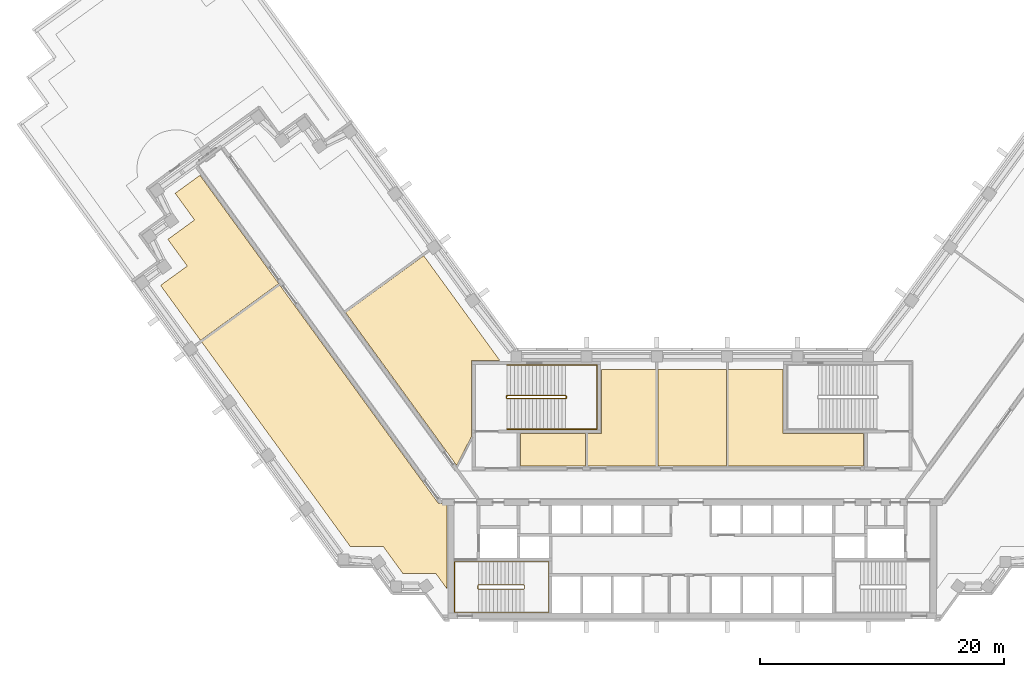
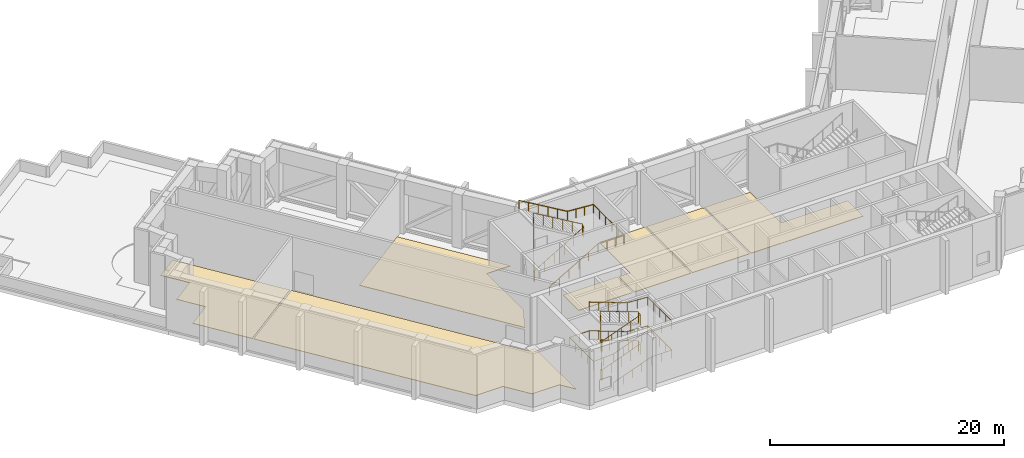
# One storey, part 14 of 16: 7 coverings, 4 railings.
"""IFC4 building model written with IfcOpenShell, lengths in metres."""

from ifc_helpers import new_model, si_unit, direction, frame, origin, origin_2d, place, context, subcontext, project, spatial, polyline, circle, outline, extrude, material, layer, layer_set, type_object, element, save


model = new_model("IFC4")

# Units and contexts
model_context = context("Model", 3, precision=1e-05, world=origin(), true_north=direction((0.0, 1.0)))
body_context = subcontext(model_context, "Body", "Model", "MODEL_VIEW")
ifc_project = project(units=[si_unit("LENGTHUNIT", "METRE"), si_unit("AREAUNIT", "SQUARE_METRE"), si_unit("VOLUMEUNIT", "CUBIC_METRE"), si_unit("PLANEANGLEUNIT", "RADIAN"), si_unit("MASSUNIT", "GRAM", prefix="KILO")], contexts=[model_context])

# Site, building, storey
site_placement = place(None, origin())
site = spatial("IfcSite", under=ifc_project, at=site_placement, CompositionType="ELEMENT")
building_placement = place(site_placement, origin())
building = spatial("IfcBuilding", under=site, at=building_placement, Name="Quipu Civic Tower", CompositionType="ELEMENT")
storey_placement = place(building_placement, frame((0.0, 0.0, 133.0)))
storey = spatial("IfcBuildingStorey", under=building, at=storey_placement, Name="L31", CompositionType="ELEMENT", Elevation=133.0)

# Coverings
ifc_material_1 = material(Name="Sealed cement screed")
ifc_layer = layer(ifc_material_1, 0.050048828125)
ifc_layer_set = layer_set([ifc_layer], Name="Sealed cement screed")
covering_type = type_object("IfcCoveringType", Name="Sealed screed floor finish 50", PredefinedType="FLOORING", material=ifc_layer_set)
covering_1_placement = place(storey_placement, origin())
element("IfcCovering", 1, at=covering_1_placement, inside=storey, type_object=covering_type, Name="Sealed screed floor finish 50", PredefinedType="FLOORING", context=body_context, shape_type="SweptSolid", body=[
    extrude(outline(polyline([(-40.1630859375, 11.7099609375), (-33.763916015625, 16.35888671875), (-20.77490234375, -1.51904296875), (-20.070068359375, -1.52001953125), (-20.070068359375, -8.514892578125), (-20.991943359375, -7.24609375), (-23.69189453125, -7.24609375), (-25.279052734375, -5.06103515625), (-27.97900390625, -5.06103515625), (-40.1630859375, 11.7099609375)])), origin(), (0.0, 0.0, 1.0), 0.050048828125),
])
covering_2_placement = place(storey_placement, origin())
element("IfcCovering", 2, at=covering_2_placement, inside=storey, type_object=covering_type, Name="Sealed screed floor finish 50", PredefinedType="FLOORING", context=body_context, shape_type="SweptSolid", body=[
    extrude(outline(polyline([(-8.56689453125, 1.52001953125), (-8.56689453125, 4.179931640625), (-7.429931640625, 4.181884765625), (-7.429931640625, 9.429931640625), (-2.948974609375, 9.429931640625), (-2.948974609375, 1.52001953125), (-8.56689453125, 1.52001953125)])), origin(), (0.0, 0.0, 1.0), 0.050048828125),
])
covering_3_placement = place(storey_placement, origin())
element("IfcCovering", 3, at=covering_3_placement, inside=storey, type_object=covering_type, Name="Sealed screed floor finish 50", PredefinedType="FLOORING", context=body_context, shape_type="SweptSolid", body=[
    extrude(outline(polyline([(2.948974609375, 1.52001953125), (2.948974609375, 9.429931640625), (7.429931640625, 9.429931640625), (7.430908203125, 4.179931640625), (14.030029296875, 4.179931640625), (14.030029296875, 1.52001953125), (2.948974609375, 1.52001953125)])), origin(), (0.0, 0.0, 1.0), 0.050048828125),
])
covering_4_placement = place(storey_placement, origin())
element("IfcCovering", 4, at=covering_4_placement, inside=storey, type_object=covering_type, Name="Sealed screed floor finish 50", PredefinedType="FLOORING", context=body_context, shape_type="SweptSolid", body=[
    extrude(outline(polyline([(-14.030029296875, 1.52001953125), (-14.030029296875, 4.179931640625), (-8.70703125, 4.179931640625), (-8.70703125, 1.52001953125), (-14.030029296875, 1.52001953125)])), origin(), (0.0, 0.0, 1.0), 0.050048828125),
])
covering_5_placement = place(storey_placement, origin())
element("IfcCovering", 5, at=covering_5_placement, inside=storey, type_object=covering_type, Name="Sealed screed floor finish 50", PredefinedType="FLOORING", context=body_context, shape_type="SweptSolid", body=[
    extrude(outline(polyline([(-28.37109375, 14.10888671875), (-21.971923828125, 18.758056640625), (-15.73193359375, 10.169921875), (-18.070068359375, 10.1689453125), (-18.070068359375, 3.94189453125), (-19.27197265625, 1.583984375), (-28.37109375, 14.10888671875)])), origin(), (0.0, 0.0, 1.0), 0.050048828125),
])
covering_6_placement = place(storey_placement, origin())
element("IfcCovering", 6, at=covering_6_placement, inside=storey, type_object=covering_type, Name="Sealed screed floor finish 50", PredefinedType="FLOORING", context=body_context, shape_type="SweptSolid", body=[
    extrude(outline(polyline([(-43.51708984375, 16.324951171875), (-41.3330078125, 17.910888671875), (-42.9189453125, 20.095947265625), (-40.736083984375, 21.681884765625), (-42.322021484375, 23.867919921875), (-40.291015625, 25.343017578125), (-33.846923828125, 16.471923828125), (-40.24609375, 11.822998046875), (-43.51708984375, 16.324951171875)])), origin(), (0.0, 0.0, 1.0), 0.050048828125),
])
covering_7_placement = place(storey_placement, origin())
element("IfcCovering", 7, at=covering_7_placement, inside=storey, type_object=covering_type, Name="Sealed screed floor finish 50", PredefinedType="FLOORING", context=body_context, shape_type="SweptSolid", body=[
    extrude(outline(polyline([(-2.80908203125, 1.52001953125), (-2.80908203125, 9.429931640625), (2.80908203125, 9.429931640625), (2.80908203125, 1.52001953125), (-2.80908203125, 1.52001953125)])), origin(), (0.0, 0.0, 1.0), 0.050048828125),
])

# Railings
ifc_material_2 = material(Name="Stainless steel", Category="steel")
railing_type_1 = type_object("IfcRailingType", Name="Stair guard 1100", PredefinedType="GUARDRAIL", material=ifc_material_2)
railing_1_placement = place(storey_placement, frame((-17.5, -8.550048828125, 0.115478515625)))
element("IfcRailing", 8, at=railing_1_placement, inside=storey, type_object=railing_type_1, Name="Stair 1 guard", PredefinedType="GUARDRAIL", context=body_context, shape_type="SweptSolid", body=[
    extrude(circle(Radius=0.02392578125, at=origin_2d()), frame((0.0, 0.0, 1.076171875), z_axis=(0.937193329374, 0.0, 0.348810354458), x_axis=(0.0, 1.0, 0.0)), (0.0, 0.0, 1.0), 3.96923828125),
    extrude(circle(Radius=0.02392578125, at=origin_2d()), frame((3.719970703125, 0.0, 2.46044921875), z_axis=(0.707106781187, 0.707106781187, 0.0), x_axis=(-0.707106781187, 0.707106781187, 0.0)), (0.0, 0.0, 1.0), 0.07080078125),
    extrude(circle(Radius=0.02392578125, at=origin_2d()), frame((3.77001953125, 0.050048828125, 2.46044921875), z_axis=(0.0, 1.0, 0.0), x_axis=(-1.0, 0.0, 0.0)), (0.0, 0.0, 1.0), 0.25),
    extrude(circle(Radius=0.02392578125, at=origin_2d()), frame((3.77001953125, 0.300048828125, 2.46044921875), z_axis=(-0.3695169537, 0.3695169537, 0.852592776099), x_axis=(-0.707106781187, -0.707106781187, 0.0)), (0.0, 0.0, 1.0), 0.135498046875),
    extrude(circle(Radius=0.02392578125, at=origin_2d()), frame((3.719970703125, 0.35009765625, 2.576171875), z_axis=(-0.937193329374, 0.0, 0.348810354458), x_axis=(0.0, -1.0, 0.0)), (0.0, 0.0, 1.0), 3.96923828125),
    extrude(circle(Radius=0.02392578125, at=origin_2d()), frame((0.0, 0.35009765625, 3.96044921875), z_axis=(-0.164529134168, -0.986372223864, 0.0), x_axis=(0.986372223864, -0.164529134168, 0.0)), (0.0, 0.0, 1.0), 0.30419921875),
    extrude(circle(Radius=0.02392578125, at=origin_2d()), frame((-0.050048828125, 0.050048828125, 3.96044921875), z_axis=(0.0, 1.0, 0.0), x_axis=(-1.0, 0.0, 0.0)), (0.0, 0.0, 1.0), 0.25),
    extrude(circle(Radius=0.02392578125, at=origin_2d()), frame((-0.050048828125, 0.300048828125, 3.96044921875), z_axis=(0.153818488509, -0.922160596963, 0.354908024706), x_axis=(0.986372223864, 0.164529134168, 0.0)), (0.0, 0.0, 1.0), 0.325439453125),
    extrude(circle(Radius=0.02392578125, at=origin_2d()), frame((0.0, 0.0, 4.076171875), z_axis=(0.937193329374, 0.0, 0.348810354458), x_axis=(0.0, 1.0, 0.0)), (0.0, 0.0, 1.0), 3.96923828125),
    extrude(circle(Radius=0.02392578125, at=origin_2d()), frame((3.719970703125, 0.0, 5.46044921875), z_axis=(0.707106781187, 0.707106781187, 0.0), x_axis=(-0.707106781187, 0.707106781187, 0.0)), (0.0, 0.0, 1.0), 0.07080078125),
    extrude(circle(Radius=0.02392578125, at=origin_2d()), frame((3.77001953125, 0.050048828125, 5.46044921875), z_axis=(0.0, 1.0, 0.0), x_axis=(-1.0, 0.0, 0.0)), (0.0, 0.0, 1.0), 0.25),
    extrude(circle(Radius=0.02392578125, at=origin_2d()), frame((3.77001953125, 0.300048828125, 5.46044921875), z_axis=(-0.3695169537, 0.3695169537, 0.852592776099), x_axis=(-0.707106781187, -0.707106781187, 0.0)), (0.0, 0.0, 1.0), 0.135498046875),
    extrude(circle(Radius=0.02392578125, at=origin_2d()), frame((3.719970703125, 0.35009765625, 5.576171875), z_axis=(-0.937193329374, 0.0, 0.348810354458), x_axis=(0.0, -1.0, 0.0)), (0.0, 0.0, 1.0), 3.96923828125),
    extrude(circle(Radius=0.02392578125, at=origin_2d()), frame((0.0, 0.35009765625, 6.96044921875), z_axis=(-0.008330771543, -0.049943991347, -0.998717275296), x_axis=(0.986372223864, -0.164529134168, 0.0)), (0.0, 0.0, 1.0), 6.0078125),
    extrude(circle(Radius=0.02392578125, at=origin_2d()), frame((-0.050048828125, 0.050048828125, 0.96044921875), z_axis=(0.0, 1.0, 0.0), x_axis=(-1.0, 0.0, 0.0)), (0.0, 0.0, 1.0), 0.25),
    extrude(circle(Radius=0.02099609375, at=origin_2d()), origin(), (0.0, 0.0, 1.0), 1.052001953125),
    extrude(circle(Radius=0.02099609375, at=origin_2d()), frame((0.929931640625, 0.0, 0.34619140625)), (0.0, 0.0, 1.0), 1.052001953125),
    extrude(circle(Radius=0.02099609375, at=origin_2d()), frame((1.85986328125, 0.0, 0.6923828125)), (0.0, 0.0, 1.0), 1.052001953125),
    extrude(circle(Radius=0.02099609375, at=origin_2d()), frame((2.7900390625, 0.0, 1.038330078125)), (0.0, 0.0, 1.0), 1.052001953125),
    extrude(circle(Radius=0.02099609375, at=origin_2d()), frame((3.719970703125, 0.0, 1.384521484375)), (0.0, 0.0, 1.0), 1.052001953125),
    extrude(circle(Radius=0.02099609375, at=origin_2d()), frame((3.77001953125, 0.050048828125, 1.384521484375)), (0.0, 0.0, 1.0), 1.052001953125),
    extrude(circle(Radius=0.02099609375, at=origin_2d()), frame((3.77001953125, 0.300048828125, 1.384521484375)), (0.0, 0.0, 1.0), 1.052001953125),
    extrude(circle(Radius=0.02099609375, at=origin_2d()), frame((3.719970703125, 0.35009765625, 1.5)), (0.0, 0.0, 1.0), 1.052001953125),
    extrude(circle(Radius=0.02099609375, at=origin_2d()), frame((2.7900390625, 0.35009765625, 1.84619140625)), (0.0, 0.0, 1.0), 1.052001953125),
    extrude(circle(Radius=0.02099609375, at=origin_2d()), frame((1.85986328125, 0.35009765625, 2.1923828125)), (0.0, 0.0, 1.0), 1.052001953125),
    extrude(circle(Radius=0.02099609375, at=origin_2d()), frame((0.929931640625, 0.35009765625, 2.538330078125)), (0.0, 0.0, 1.0), 1.052001953125),
    extrude(circle(Radius=0.02099609375, at=origin_2d()), frame((0.0, 0.35009765625, 2.884521484375)), (0.0, 0.0, 1.0), 1.052001953125),
    extrude(circle(Radius=0.02099609375, at=origin_2d()), frame((-0.050048828125, 0.050048828125, 2.884521484375)), (0.0, 0.0, 1.0), 1.052001953125),
    extrude(circle(Radius=0.02099609375, at=origin_2d()), frame((-0.050048828125, 0.300048828125, 2.884521484375)), (0.0, 0.0, 1.0), 1.052001953125),
    extrude(circle(Radius=0.02099609375, at=origin_2d()), frame((0.0, 0.0, 3.0)), (0.0, 0.0, 1.0), 1.052001953125),
    extrude(circle(Radius=0.02099609375, at=origin_2d()), frame((0.929931640625, 0.0, 3.34619140625)), (0.0, 0.0, 1.0), 1.052001953125),
    extrude(circle(Radius=0.02099609375, at=origin_2d()), frame((1.85986328125, 0.0, 3.6923828125)), (0.0, 0.0, 1.0), 1.052001953125),
    extrude(circle(Radius=0.02099609375, at=origin_2d()), frame((2.7900390625, 0.0, 4.038330078125)), (0.0, 0.0, 1.0), 1.052001953125),
    extrude(circle(Radius=0.02099609375, at=origin_2d()), frame((3.719970703125, 0.0, 4.384521484375)), (0.0, 0.0, 1.0), 1.052001953125),
    extrude(circle(Radius=0.02099609375, at=origin_2d()), frame((3.77001953125, 0.050048828125, 4.384521484375)), (0.0, 0.0, 1.0), 1.052001953125),
    extrude(circle(Radius=0.02099609375, at=origin_2d()), frame((3.77001953125, 0.300048828125, 4.384521484375)), (0.0, 0.0, 1.0), 1.052001953125),
    extrude(circle(Radius=0.02099609375, at=origin_2d()), frame((3.719970703125, 0.35009765625, 4.5)), (0.0, 0.0, 1.0), 1.052001953125),
    extrude(circle(Radius=0.02099609375, at=origin_2d()), frame((2.7900390625, 0.35009765625, 4.84619140625)), (0.0, 0.0, 1.0), 1.052001953125),
    extrude(circle(Radius=0.02099609375, at=origin_2d()), frame((1.85986328125, 0.35009765625, 5.1923828125)), (0.0, 0.0, 1.0), 1.052001953125),
    extrude(circle(Radius=0.02099609375, at=origin_2d()), frame((0.929931640625, 0.35009765625, 5.538330078125)), (0.0, 0.0, 1.0), 1.052001953125),
    extrude(circle(Radius=0.02099609375, at=origin_2d()), frame((0.0, 0.35009765625, 5.884521484375)), (0.0, 0.0, 1.0), 1.052001953125),
    extrude(circle(Radius=0.02099609375, at=origin_2d()), frame((-0.00830078125, 0.300048828125, 4.884521484375)), (0.0, 0.0, 1.0), 1.052001953125),
    extrude(circle(Radius=0.02099609375, at=origin_2d()), frame((-0.0166015625, 0.25, 3.884521484375)), (0.0, 0.0, 1.0), 1.052001953125),
    extrude(circle(Radius=0.02099609375, at=origin_2d()), frame((-0.02490234375, 0.2001953125, 2.884521484375)), (0.0, 0.0, 1.0), 1.052001953125),
    extrude(circle(Radius=0.02099609375, at=origin_2d()), frame((-0.033447265625, 0.150146484375, 1.884521484375)), (0.0, 0.0, 1.0), 1.052001953125),
    extrude(circle(Radius=0.02099609375, at=origin_2d()), frame((-0.041748046875, 0.10009765625, 0.884521484375)), (0.0, 0.0, 1.0), 1.052001953125),
    extrude(circle(Radius=0.02099609375, at=origin_2d()), frame((-0.050048828125, 0.050048828125, -0.115478515625)), (0.0, 0.0, 1.0), 1.052001953125),
    extrude(circle(Radius=0.02099609375, at=origin_2d()), frame((-0.050048828125, 0.300048828125, -0.115478515625)), (0.0, 0.0, 1.0), 1.052001953125),
])
railing_2_placement = place(storey_placement, frame((-15.14990234375, 7.050048828125, 0.176513671875)))
element("IfcRailing", 9, at=railing_2_placement, inside=storey, type_object=railing_type_1, Name="Stair 3 guard", PredefinedType="GUARDRAIL", context=body_context, shape_type="SweptSolid", body=[
    extrude(circle(Radius=0.02392578125, at=origin_2d()), frame((0.0, 0.0, 1.076171875), z_axis=(0.86192857992, 0.0, 0.507029706346), x_axis=(0.0, 1.0, 0.0)), (0.0, 0.0, 1.0), 5.568603515625),
    extrude(circle(Radius=0.02392578125, at=origin_2d()), frame((4.7998046875, 0.0, 3.8994140625), z_axis=(0.707106781187, 0.707106781187, 0.0), x_axis=(-0.707106781187, 0.707106781187, 0.0)), (0.0, 0.0, 1.0), 0.07080078125),
    extrude(circle(Radius=0.02392578125, at=origin_2d()), frame((4.849853515625, 0.050048828125, 3.8994140625), z_axis=(0.0, 1.0, 0.0), x_axis=(-1.0, 0.0, 0.0)), (0.0, 0.0, 1.0), 0.14990234375),
    extrude(circle(Radius=0.02392578125, at=origin_2d()), frame((4.849853515625, 0.199951171875, 3.8994140625), z_axis=(-0.263171338983, 0.263171338983, 0.928160380902), x_axis=(-0.707106781187, -0.707106781187, 0.0)), (0.0, 0.0, 1.0), 0.190185546875),
    extrude(circle(Radius=0.02392578125, at=origin_2d()), frame((4.7998046875, 0.25, 4.076171875), z_axis=(-0.86192857992, 0.0, 0.507029706346), x_axis=(0.0, -1.0, 0.0)), (0.0, 0.0, 1.0), 5.568603515625),
    extrude(circle(Radius=0.02392578125, at=origin_2d()), frame((0.0, 0.25, 6.8994140625), z_axis=(-0.008336553618, -0.033305548356, -0.999410447375), x_axis=(0.970072785993, -0.242814311512, 0.0)), (0.0, 0.0, 1.0), 6.00341796875),
    extrude(circle(Radius=0.02392578125, at=origin_2d()), frame((-0.050048828125, 0.050048828125, 0.8994140625), z_axis=(0.0, 1.0, 0.0), x_axis=(-1.0, 0.0, 0.0)), (0.0, 0.0, 1.0), 0.14990234375),
    extrude(circle(Radius=0.02099609375, at=origin_2d()), origin(), (0.0, 0.0, 1.0), 1.052001953125),
    extrude(circle(Radius=0.02099609375, at=origin_2d()), frame((0.9599609375, 0.0, 0.564697265625)), (0.0, 0.0, 1.0), 1.052001953125),
    extrude(circle(Radius=0.02099609375, at=origin_2d()), frame((1.919921875, 0.0, 1.12939453125)), (0.0, 0.0, 1.0), 1.052001953125),
    extrude(circle(Radius=0.02099609375, at=origin_2d()), frame((2.8798828125, 0.0, 1.694091796875)), (0.0, 0.0, 1.0), 1.052001953125),
    extrude(circle(Radius=0.02099609375, at=origin_2d()), frame((3.83984375, 0.0, 2.2587890625)), (0.0, 0.0, 1.0), 1.052001953125),
    extrude(circle(Radius=0.02099609375, at=origin_2d()), frame((4.7998046875, 0.0, 2.823486328125)), (0.0, 0.0, 1.0), 1.052001953125),
    extrude(circle(Radius=0.02099609375, at=origin_2d()), frame((4.849853515625, 0.050048828125, 2.823486328125)), (0.0, 0.0, 1.0), 1.052001953125),
    extrude(circle(Radius=0.02099609375, at=origin_2d()), frame((4.849853515625, 0.199951171875, 2.823486328125)), (0.0, 0.0, 1.0), 1.052001953125),
    extrude(circle(Radius=0.02099609375, at=origin_2d()), frame((4.7998046875, 0.25, 3.0)), (0.0, 0.0, 1.0), 1.052001953125),
    extrude(circle(Radius=0.02099609375, at=origin_2d()), frame((3.83984375, 0.25, 3.564697265625)), (0.0, 0.0, 1.0), 1.052001953125),
    extrude(circle(Radius=0.02099609375, at=origin_2d()), frame((2.8798828125, 0.25, 4.12939453125)), (0.0, 0.0, 1.0), 1.052001953125),
    extrude(circle(Radius=0.02099609375, at=origin_2d()), frame((1.919921875, 0.25, 4.694091796875)), (0.0, 0.0, 1.0), 1.052001953125),
    extrude(circle(Radius=0.02099609375, at=origin_2d()), frame((0.9599609375, 0.25, 5.2587890625)), (0.0, 0.0, 1.0), 1.052001953125),
    extrude(circle(Radius=0.02099609375, at=origin_2d()), frame((0.0, 0.25, 5.823486328125)), (0.0, 0.0, 1.0), 1.052001953125),
    extrude(circle(Radius=0.02099609375, at=origin_2d()), frame((-0.00830078125, 0.216796875, 4.823486328125)), (0.0, 0.0, 1.0), 1.052001953125),
    extrude(circle(Radius=0.02099609375, at=origin_2d()), frame((-0.0166015625, 0.183349609375, 3.823486328125)), (0.0, 0.0, 1.0), 1.052001953125),
    extrude(circle(Radius=0.02099609375, at=origin_2d()), frame((-0.02490234375, 0.14990234375, 2.823486328125)), (0.0, 0.0, 1.0), 1.052001953125),
    extrude(circle(Radius=0.02099609375, at=origin_2d()), frame((-0.033447265625, 0.11669921875, 1.823486328125)), (0.0, 0.0, 1.0), 1.052001953125),
    extrude(circle(Radius=0.02099609375, at=origin_2d()), frame((-0.041748046875, 0.08349609375, 0.823486328125)), (0.0, 0.0, 1.0), 1.052001953125),
    extrude(circle(Radius=0.02099609375, at=origin_2d()), frame((-0.050048828125, 0.050048828125, -0.176513671875)), (0.0, 0.0, 1.0), 1.052001953125),
    extrude(circle(Radius=0.02099609375, at=origin_2d()), frame((-0.050048828125, 0.199951171875, -0.176513671875)), (0.0, 0.0, 1.0), 1.052001953125),
])
ifc_material_3 = material(Name="Stainless steel", Category="steel")
railing_type_2 = type_object("IfcRailingType", Name="Stair handrail", PredefinedType="HANDRAIL", material=ifc_material_3)
railing_3_placement = place(storey_placement, frame((-17.5, -10.449951171875, 0.115478515625)))
element("IfcRailing", 10, at=railing_3_placement, inside=storey, type_object=railing_type_2, Name="Stair 1 handrail", PredefinedType="HANDRAIL", context=body_context, shape_type="SweptSolid", body=[
    extrude(circle(Radius=0.02392578125, at=origin_2d()), frame((0.0, 0.0, 0.8759765625), z_axis=(0.937193329374, 0.0, 0.348810354458), x_axis=(0.0, 1.0, 0.0)), (0.0, 0.0, 1.0), 3.96923828125),
    extrude(circle(Radius=0.02392578125, at=origin_2d()), frame((3.719970703125, 0.0, 2.26025390625), z_axis=(1.0, 0.0, 0.0), x_axis=(0.0, 1.0, 0.0)), (0.0, 0.0, 1.0), 2.030029296875),
    extrude(circle(Radius=0.02392578125, at=origin_2d()), frame((5.75, 0.0, 2.26025390625), z_axis=(0.0, 1.0, 0.0), x_axis=(-1.0, 0.0, 0.0)), (0.0, 0.0, 1.0), 4.14990234375),
    extrude(circle(Radius=0.02392578125, at=origin_2d()), frame((5.75, 4.14990234375, 2.26025390625), z_axis=(-0.99838595614, 0.0, 0.056793332201), x_axis=(0.0, -1.0, 0.0)), (0.0, 0.0, 1.0), 2.033203125),
    extrude(circle(Radius=0.02392578125, at=origin_2d()), frame((3.719970703125, 4.14990234375, 2.3759765625), z_axis=(-0.937193329374, 0.0, 0.348810354458), x_axis=(0.0, -1.0, 0.0)), (0.0, 0.0, 1.0), 3.96923828125),
    extrude(circle(Radius=0.02392578125, at=origin_2d()), frame((0.0, 4.14990234375, 3.76025390625), z_axis=(-1.0, 0.0, 0.0), x_axis=(0.0, -1.0, 0.0)), (0.0, 0.0, 1.0), 1.949951171875),
    extrude(circle(Radius=0.02392578125, at=origin_2d()), frame((-1.949951171875, 4.14990234375, 3.76025390625), z_axis=(0.0, -1.0, 0.0), x_axis=(1.0, 0.0, 0.0)), (0.0, 0.0, 1.0), 4.14990234375),
    extrude(circle(Radius=0.02392578125, at=origin_2d()), frame((-1.949951171875, 0.0, 3.76025390625), z_axis=(0.998251021802, 0.0, 0.059117657858), x_axis=(0.0, 1.0, 0.0)), (0.0, 0.0, 1.0), 1.953369140625),
    extrude(circle(Radius=0.02392578125, at=origin_2d()), frame((0.0, 0.0, 3.8759765625), z_axis=(0.937193329374, 0.0, 0.348810354458), x_axis=(0.0, 1.0, 0.0)), (0.0, 0.0, 1.0), 3.96923828125),
    extrude(circle(Radius=0.02392578125, at=origin_2d()), frame((3.719970703125, 0.0, 5.26025390625), z_axis=(1.0, 0.0, 0.0), x_axis=(0.0, 1.0, 0.0)), (0.0, 0.0, 1.0), 2.030029296875),
    extrude(circle(Radius=0.02392578125, at=origin_2d()), frame((5.75, 0.0, 5.26025390625), z_axis=(0.0, 1.0, 0.0), x_axis=(-1.0, 0.0, 0.0)), (0.0, 0.0, 1.0), 4.14990234375),
    extrude(circle(Radius=0.02392578125, at=origin_2d()), frame((5.75, 4.14990234375, 5.26025390625), z_axis=(-0.99838595614, 0.0, 0.056793332201), x_axis=(0.0, -1.0, 0.0)), (0.0, 0.0, 1.0), 2.033203125),
    extrude(circle(Radius=0.02392578125, at=origin_2d()), frame((3.719970703125, 4.14990234375, 5.3759765625), z_axis=(-0.937193329374, 0.0, 0.348810354458), x_axis=(0.0, -1.0, 0.0)), (0.0, 0.0, 1.0), 3.96923828125),
    extrude(circle(Radius=0.02099609375, at=origin_2d()), origin(), (0.0, 0.0, 1.0), 0.851806640625),
    extrude(circle(Radius=0.02099609375, at=origin_2d()), frame((0.929931640625, 0.0, 0.34619140625)), (0.0, 0.0, 1.0), 0.851806640625),
    extrude(circle(Radius=0.02099609375, at=origin_2d()), frame((1.85986328125, 0.0, 0.6923828125)), (0.0, 0.0, 1.0), 0.851806640625),
    extrude(circle(Radius=0.02099609375, at=origin_2d()), frame((2.7900390625, 0.0, 1.038330078125)), (0.0, 0.0, 1.0), 0.851806640625),
    extrude(circle(Radius=0.02099609375, at=origin_2d()), frame((3.719970703125, 0.0, 1.384521484375)), (0.0, 0.0, 1.0), 0.851806640625),
    extrude(circle(Radius=0.02099609375, at=origin_2d()), frame((4.73486328125, 0.0, 1.384521484375)), (0.0, 0.0, 1.0), 0.851806640625),
    extrude(circle(Radius=0.02099609375, at=origin_2d()), frame((5.75, 0.0, 1.384521484375)), (0.0, 0.0, 1.0), 0.851806640625),
    extrude(circle(Radius=0.02099609375, at=origin_2d()), frame((5.75, 1.03759765625, 1.384521484375)), (0.0, 0.0, 1.0), 0.851806640625),
    extrude(circle(Radius=0.02099609375, at=origin_2d()), frame((5.75, 2.074951171875, 1.384521484375)), (0.0, 0.0, 1.0), 0.851806640625),
    extrude(circle(Radius=0.02099609375, at=origin_2d()), frame((5.75, 3.1123046875, 1.384521484375)), (0.0, 0.0, 1.0), 0.851806640625),
    extrude(circle(Radius=0.02099609375, at=origin_2d()), frame((5.75, 4.14990234375, 1.384521484375)), (0.0, 0.0, 1.0), 0.851806640625),
    extrude(circle(Radius=0.02099609375, at=origin_2d()), frame((4.73486328125, 4.14990234375, 1.4423828125)), (0.0, 0.0, 1.0), 0.851806640625),
    extrude(circle(Radius=0.02099609375, at=origin_2d()), frame((3.719970703125, 4.14990234375, 1.5)), (0.0, 0.0, 1.0), 0.851806640625),
    extrude(circle(Radius=0.02099609375, at=origin_2d()), frame((2.7900390625, 4.14990234375, 1.84619140625)), (0.0, 0.0, 1.0), 0.851806640625),
    extrude(circle(Radius=0.02099609375, at=origin_2d()), frame((1.85986328125, 4.14990234375, 2.1923828125)), (0.0, 0.0, 1.0), 0.851806640625),
    extrude(circle(Radius=0.02099609375, at=origin_2d()), frame((0.929931640625, 4.14990234375, 2.538330078125)), (0.0, 0.0, 1.0), 0.851806640625),
    extrude(circle(Radius=0.02099609375, at=origin_2d()), frame((0.0, 4.14990234375, 2.884521484375)), (0.0, 0.0, 1.0), 0.851806640625),
    extrude(circle(Radius=0.02099609375, at=origin_2d()), frame((-0.97509765625, 4.14990234375, 2.884521484375)), (0.0, 0.0, 1.0), 0.851806640625),
    extrude(circle(Radius=0.02099609375, at=origin_2d()), frame((-1.949951171875, 4.14990234375, 2.884521484375)), (0.0, 0.0, 1.0), 0.851806640625),
    extrude(circle(Radius=0.02099609375, at=origin_2d()), frame((-1.949951171875, 3.1123046875, 2.884521484375)), (0.0, 0.0, 1.0), 0.851806640625),
    extrude(circle(Radius=0.02099609375, at=origin_2d()), frame((-1.949951171875, 2.074951171875, 2.884521484375)), (0.0, 0.0, 1.0), 0.851806640625),
    extrude(circle(Radius=0.02099609375, at=origin_2d()), frame((-1.949951171875, 1.03759765625, 2.884521484375)), (0.0, 0.0, 1.0), 0.851806640625),
    extrude(circle(Radius=0.02099609375, at=origin_2d()), frame((-1.949951171875, 0.0, 2.884521484375)), (0.0, 0.0, 1.0), 0.851806640625),
    extrude(circle(Radius=0.02099609375, at=origin_2d()), frame((-0.97509765625, 0.0, 2.9423828125)), (0.0, 0.0, 1.0), 0.851806640625),
    extrude(circle(Radius=0.02099609375, at=origin_2d()), frame((0.0, 0.0, 3.0)), (0.0, 0.0, 1.0), 0.851806640625),
    extrude(circle(Radius=0.02099609375, at=origin_2d()), frame((0.929931640625, 0.0, 3.34619140625)), (0.0, 0.0, 1.0), 0.851806640625),
    extrude(circle(Radius=0.02099609375, at=origin_2d()), frame((1.85986328125, 0.0, 3.6923828125)), (0.0, 0.0, 1.0), 0.851806640625),
    extrude(circle(Radius=0.02099609375, at=origin_2d()), frame((2.7900390625, 0.0, 4.038330078125)), (0.0, 0.0, 1.0), 0.851806640625),
    extrude(circle(Radius=0.02099609375, at=origin_2d()), frame((3.719970703125, 0.0, 4.384521484375)), (0.0, 0.0, 1.0), 0.851806640625),
    extrude(circle(Radius=0.02099609375, at=origin_2d()), frame((4.73486328125, 0.0, 4.384521484375)), (0.0, 0.0, 1.0), 0.851806640625),
    extrude(circle(Radius=0.02099609375, at=origin_2d()), frame((5.75, 0.0, 4.384521484375)), (0.0, 0.0, 1.0), 0.851806640625),
    extrude(circle(Radius=0.02099609375, at=origin_2d()), frame((5.75, 1.03759765625, 4.384521484375)), (0.0, 0.0, 1.0), 0.851806640625),
    extrude(circle(Radius=0.02099609375, at=origin_2d()), frame((5.75, 2.074951171875, 4.384521484375)), (0.0, 0.0, 1.0), 0.851806640625),
    extrude(circle(Radius=0.02099609375, at=origin_2d()), frame((5.75, 3.1123046875, 4.384521484375)), (0.0, 0.0, 1.0), 0.851806640625),
    extrude(circle(Radius=0.02099609375, at=origin_2d()), frame((5.75, 4.14990234375, 4.384521484375)), (0.0, 0.0, 1.0), 0.851806640625),
    extrude(circle(Radius=0.02099609375, at=origin_2d()), frame((4.73486328125, 4.14990234375, 4.4423828125)), (0.0, 0.0, 1.0), 0.851806640625),
    extrude(circle(Radius=0.02099609375, at=origin_2d()), frame((3.719970703125, 4.14990234375, 4.5)), (0.0, 0.0, 1.0), 0.851806640625),
    extrude(circle(Radius=0.02099609375, at=origin_2d()), frame((2.7900390625, 4.14990234375, 4.84619140625)), (0.0, 0.0, 1.0), 0.851806640625),
    extrude(circle(Radius=0.02099609375, at=origin_2d()), frame((1.85986328125, 4.14990234375, 5.1923828125)), (0.0, 0.0, 1.0), 0.851806640625),
    extrude(circle(Radius=0.02099609375, at=origin_2d()), frame((0.929931640625, 4.14990234375, 5.538330078125)), (0.0, 0.0, 1.0), 0.851806640625),
    extrude(circle(Radius=0.02099609375, at=origin_2d()), frame((0.0, 4.14990234375, 5.884521484375)), (0.0, 0.0, 1.0), 0.851806640625),
])
railing_4_placement = place(storey_placement, frame((-15.14990234375, 4.550048828125, 0.176513671875)))
element("IfcRailing", 11, at=railing_4_placement, inside=storey, type_object=railing_type_2, Name="Stair 3 handrail", PredefinedType="HANDRAIL", context=body_context, shape_type="SweptSolid", body=[
    extrude(circle(Radius=0.02392578125, at=origin_2d()), frame((0.0, 0.0, 0.8759765625), z_axis=(0.86192857992, 0.0, 0.507029706346), x_axis=(0.0, 1.0, 0.0)), (0.0, 0.0, 1.0), 5.568603515625),
    extrude(circle(Radius=0.02392578125, at=origin_2d()), frame((4.7998046875, 0.0, 3.69921875), z_axis=(1.0, 0.0, 0.0), x_axis=(0.0, 1.0, 0.0)), (0.0, 0.0, 1.0), 2.550048828125),
    extrude(circle(Radius=0.02392578125, at=origin_2d()), frame((7.349853515625, 0.0, 3.69921875), z_axis=(0.0, 1.0, 0.0), x_axis=(-1.0, 0.0, 0.0)), (0.0, 0.0, 1.0), 5.25),
    extrude(circle(Radius=0.02392578125, at=origin_2d()), frame((7.349853515625, 5.25, 3.69921875), z_axis=(-0.997612889748, 0.0, 0.069054487246), x_axis=(0.0, -1.0, 0.0)), (0.0, 0.0, 1.0), 2.55615234375),
    extrude(circle(Radius=0.02392578125, at=origin_2d()), frame((4.7998046875, 5.25, 3.8759765625), z_axis=(-0.86192857992, 0.0, 0.507029706346), x_axis=(0.0, -1.0, 0.0)), (0.0, 0.0, 1.0), 5.568603515625),
    extrude(circle(Radius=0.02099609375, at=origin_2d()), origin(), (0.0, 0.0, 1.0), 0.851806640625),
    extrude(circle(Radius=0.02099609375, at=origin_2d()), frame((0.9599609375, 0.0, 0.564697265625)), (0.0, 0.0, 1.0), 0.851806640625),
    extrude(circle(Radius=0.02099609375, at=origin_2d()), frame((1.919921875, 0.0, 1.12939453125)), (0.0, 0.0, 1.0), 0.851806640625),
    extrude(circle(Radius=0.02099609375, at=origin_2d()), frame((2.8798828125, 0.0, 1.694091796875)), (0.0, 0.0, 1.0), 0.851806640625),
    extrude(circle(Radius=0.02099609375, at=origin_2d()), frame((3.83984375, 0.0, 2.2587890625)), (0.0, 0.0, 1.0), 0.851806640625),
    extrude(circle(Radius=0.02099609375, at=origin_2d()), frame((4.7998046875, 0.0, 2.823486328125)), (0.0, 0.0, 1.0), 0.851806640625),
    extrude(circle(Radius=0.02099609375, at=origin_2d()), frame((5.64990234375, 0.0, 2.823486328125)), (0.0, 0.0, 1.0), 0.851806640625),
    extrude(circle(Radius=0.02099609375, at=origin_2d()), frame((6.499755859375, 0.0, 2.823486328125)), (0.0, 0.0, 1.0), 0.851806640625),
    extrude(circle(Radius=0.02099609375, at=origin_2d()), frame((7.349853515625, 0.0, 2.823486328125)), (0.0, 0.0, 1.0), 0.851806640625),
    extrude(circle(Radius=0.02099609375, at=origin_2d()), frame((7.349853515625, 1.050048828125, 2.823486328125)), (0.0, 0.0, 1.0), 0.851806640625),
    extrude(circle(Radius=0.02099609375, at=origin_2d()), frame((7.349853515625, 2.10009765625, 2.823486328125)), (0.0, 0.0, 1.0), 0.851806640625),
    extrude(circle(Radius=0.02099609375, at=origin_2d()), frame((7.349853515625, 3.14990234375, 2.823486328125)), (0.0, 0.0, 1.0), 0.851806640625),
    extrude(circle(Radius=0.02099609375, at=origin_2d()), frame((7.349853515625, 4.199951171875, 2.823486328125)), (0.0, 0.0, 1.0), 0.851806640625),
    extrude(circle(Radius=0.02099609375, at=origin_2d()), frame((7.349853515625, 5.25, 2.823486328125)), (0.0, 0.0, 1.0), 0.851806640625),
    extrude(circle(Radius=0.02099609375, at=origin_2d()), frame((6.499755859375, 5.25, 2.88232421875)), (0.0, 0.0, 1.0), 0.851806640625),
    extrude(circle(Radius=0.02099609375, at=origin_2d()), frame((5.64990234375, 5.25, 2.941162109375)), (0.0, 0.0, 1.0), 0.851806640625),
    extrude(circle(Radius=0.02099609375, at=origin_2d()), frame((4.7998046875, 5.25, 3.0)), (0.0, 0.0, 1.0), 0.851806640625),
    extrude(circle(Radius=0.02099609375, at=origin_2d()), frame((3.83984375, 5.25, 3.564697265625)), (0.0, 0.0, 1.0), 0.851806640625),
    extrude(circle(Radius=0.02099609375, at=origin_2d()), frame((2.8798828125, 5.25, 4.12939453125)), (0.0, 0.0, 1.0), 0.851806640625),
    extrude(circle(Radius=0.02099609375, at=origin_2d()), frame((1.919921875, 5.25, 4.694091796875)), (0.0, 0.0, 1.0), 0.851806640625),
    extrude(circle(Radius=0.02099609375, at=origin_2d()), frame((0.9599609375, 5.25, 5.2587890625)), (0.0, 0.0, 1.0), 0.851806640625),
    extrude(circle(Radius=0.02099609375, at=origin_2d()), frame((0.0, 5.25, 5.823486328125)), (0.0, 0.0, 1.0), 0.851806640625),
])

save(model, "model.ifc")
